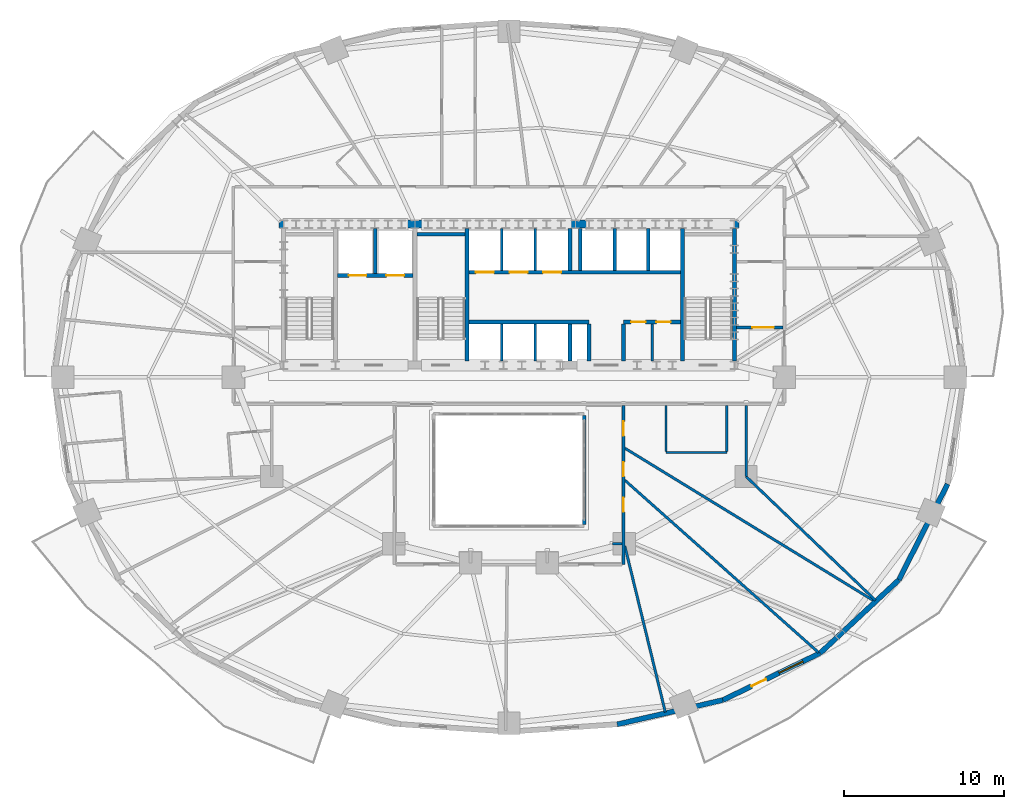
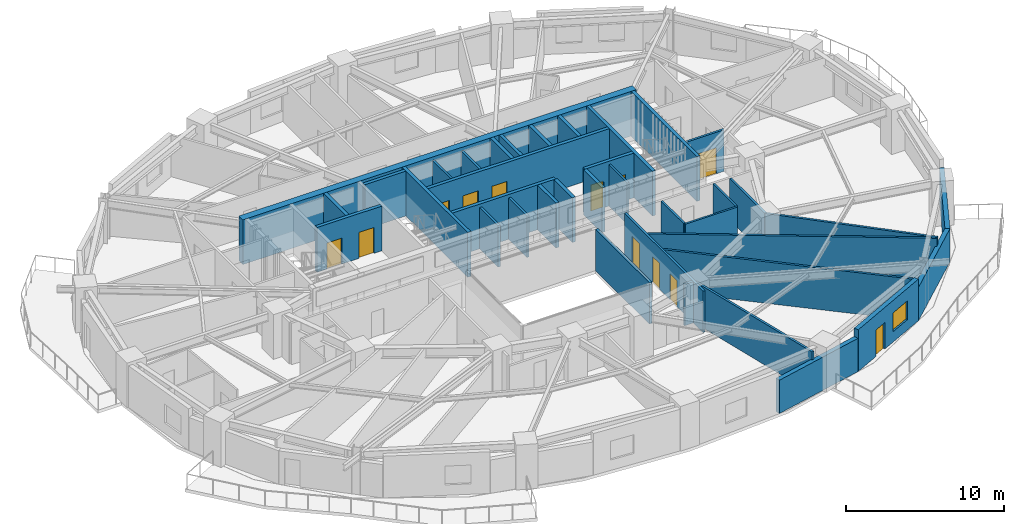
# One storey, part 9 of 15: 38 walls, 12 doors, 1 window, 13 openings.
"""IFC4 building model written with IfcOpenShell, lengths in metres."""

from ifc_helpers import new_model, si_unit, direction, frame, frame_2d, origin, place, context, subcontext, project, spatial, rectangle, extrude, material, layer, layer_set, type_object, element, fill, save


model = new_model("IFC4")

# Units and contexts
model_context = context("Model", 3, precision=1e-05, world=origin(), true_north=direction((0.0, 1.0)))
body_context = subcontext(model_context, "Body", "Model", "MODEL_VIEW")
ifc_project = project(units=[si_unit("LENGTHUNIT", "METRE"), si_unit("AREAUNIT", "SQUARE_METRE"), si_unit("VOLUMEUNIT", "CUBIC_METRE"), si_unit("PLANEANGLEUNIT", "RADIAN"), si_unit("MASSUNIT", "GRAM", prefix="KILO")], contexts=[model_context])

# Site, building, storey
site_placement = place(None, origin())
site = spatial("IfcSite", under=ifc_project, at=site_placement, CompositionType="ELEMENT")
building_placement = place(site_placement, origin())
building = spatial("IfcBuilding", under=site, at=building_placement, Name="Haldorwick Loom Tower", CompositionType="ELEMENT")
storey_placement = place(building_placement, frame((0.0, 0.0, 92.14990234375)))
storey = spatial("IfcBuildingStorey", under=building, at=storey_placement, Name="L24", CompositionType="ELEMENT", Elevation=92.14990234375)

# Wall
ifc_material_1 = material(Name="Pressed Clay Face Brick and Insulated Masonry Backup Assembly", Category="masonry")
ifc_layer_1 = layer(ifc_material_1, 0.320068359375, Name="Pressed Clay Face Brick and Insulated Masonry Backup Assembly", Category="masonry")
ifc_layer_set_1 = layer_set([ifc_layer_1], Name="Pressed Clay Face Brick and Insulated Masonry Backup Assembly")
wall_type_1 = type_object("IfcWallType", Name="ARC-WL-EXT320", PredefinedType="STANDARD", material=ifc_layer_set_1)
wall_1_placement = place(storey_placement, frame((42.757080078125, 4.325439453125, 0.0), z_axis=(0.0, 0.0, 1.0), x_axis=(0.974584177714, 0.224021607329, 0.0)))
element("IfcWall", 1, at=wall_1_placement, inside=storey, type_object=wall_type_1, Name="L24 Brick Pier and Spandrel Wall 20", PredefinedType="STANDARD", context=body_context, shape_type="SweptSolid", body=[
    extrude(rectangle(XDim=6.767822265625, YDim=0.320068359375, at=frame_2d((3.3837890625, 0.0))), origin(), (0.0, 0.0, 1.0), 2.569091796875),
])

# Wall, openings, door, window
wall_2_placement = place(storey_placement, frame((49.352783203125, 5.841552734375, 0.0), z_axis=(0.0, 0.0, 1.0), x_axis=(0.900510094661, 0.434835106004, 0.0)))
wall_2 = element("IfcWall", 2, at=wall_2_placement, inside=storey, type_object=wall_type_1, Name="L24 Brick Pier and Spandrel Wall 21", PredefinedType="STANDARD", context=body_context, shape_type="SweptSolid", body=[
    extrude(rectangle(XDim=6.744873046875, YDim=0.320068359375, at=frame_2d((3.37255859375, 0.0))), origin(), (0.0, 0.0, 1.0), 3.210205078125),
])
opening_1_placement = place(wall_2_placement, frame((1.994873046875, 0.0, 0.0)))
opening_1 = element("IfcOpeningElement", 3, at=opening_1_placement, cuts=wall_2, Name="Opening D-BL10", PredefinedType="OPENING", context=body_context, shape_type="SweptSolid", body=[
    extrude(rectangle(XDim=1.0, YDim=2.0400390625, at=frame_2d((0.5, 1.02001953125))), frame((0.0, 0.169921875, 0.0), z_axis=(0.0, -1.0, 0.0), x_axis=(1.0, 0.0, 0.0)), (0.0, 0.0, 1.0), 0.340087890625),
])
opening_2_placement = place(wall_2_placement, frame((3.896484375, 0.0, 0.800048828125)))
opening_2 = element("IfcOpeningElement", 4, at=opening_2_placement, cuts=wall_2, Name="Opening W-01B", PredefinedType="OPENING", context=body_context, shape_type="SweptSolid", body=[
    extrude(rectangle(XDim=1.64990234375, YDim=1.449951171875, at=frame_2d((0.824951171875, 0.72509765625))), frame((0.0, 0.169921875, 0.0), z_axis=(0.0, -1.0, 0.0), x_axis=(1.0, 0.0, 0.0)), (0.0, 0.0, 1.0), 0.340087890625),
])
ifc_material_2 = material(Name="Thermally Broken Anodized Aluminium Curtain Wall Framing", Category="aluminium")
door_type_1 = type_object("IfcDoorType", Name="ARC-DR-BAL100", OperationType="NOTDEFINED", PredefinedType="DOOR", material=ifc_material_2)
door_1_placement = place(opening_1_placement, origin())
door_1 = element("IfcDoor", 5, at=door_1_placement, inside=storey, type_object=door_type_1, Name="L24 Outdoor Terrace Door SLB-L24-BAL_SE", OperationType="SINGLE_SWING_RIGHT", OverallHeight=2.0400390625, OverallWidth=1.0, PredefinedType="DOOR", context=body_context, shape_type="SweptSolid", body=[
    extrude(rectangle(XDim=1.0, YDim=2.0400390625, at=frame_2d((0.5, 1.02001953125))), frame((0.0, 0.02490234375, 0.0), z_axis=(0.0, -1.0, 0.0), x_axis=(1.0, 0.0, 0.0)), (0.0, 0.0, 1.0), 0.050048828125),
])
fill(opening_1, door_1)
ifc_material_3 = material(Name="Triple-Glazed Low-E Argon Insulated Glazing Unit", Category="glass")
window_type = type_object("IfcWindowType", Name="ARC-WIN-W165", PartitioningType="SINGLE_PANEL", PredefinedType="WINDOW", material=ifc_material_3)
window_placement = place(opening_2_placement, origin())
window = element("IfcWindow", 6, at=window_placement, inside=storey, type_object=window_type, Name="L24 Deep-Set Zone 7A Window 21", OverallHeight=1.449951171875, OverallWidth=1.64990234375, PartitioningType="SINGLE_PANEL", PredefinedType="WINDOW", context=body_context, shape_type="SweptSolid", body=[
    extrude(rectangle(XDim=1.64990234375, YDim=1.449951171875, at=frame_2d((0.824951171875, 0.72509765625))), frame((0.0, 0.030029296875, 0.0), z_axis=(0.0, -1.0, 0.0), x_axis=(1.0, 0.0, 0.0)), (0.0, 0.0, 1.0), 0.06005859375),
])
fill(opening_2, window)

# Walls
wall_3_placement = place(storey_placement, frame((55.426513671875, 8.7744140625, 0.0), z_axis=(0.0, 0.0, 1.0), x_axis=(0.732137360086, 0.681157020052, 0.0)))
element("IfcWall", 7, at=wall_3_placement, inside=storey, type_object=wall_type_1, Name="L24 Brick Pier and Spandrel Wall 22", PredefinedType="STANDARD", context=body_context, shape_type="SweptSolid", body=[
    extrude(rectangle(XDim=6.709228515625, YDim=0.320068359375, at=frame_2d((3.3544921875, 0.0))), origin(), (0.0, 0.0, 1.0), 2.569091796875),
])
wall_4_placement = place(storey_placement, frame((60.338623046875, 13.344482421875, 0.0), z_axis=(0.0, 0.0, 1.0), x_axis=(0.453374078001, 0.89132033826, 0.0)))
element("IfcWall", 8, at=wall_4_placement, inside=storey, type_object=wall_type_1, Name="L24 Brick Pier and Spandrel Wall 23", PredefinedType="STANDARD", context=body_context, shape_type="SweptSolid", body=[
    extrude(rectangle(XDim=6.709716796875, YDim=0.320068359375, at=frame_2d((3.35498046875, 0.0))), origin(), (0.0, 0.0, 1.0), 2.569091796875),
])

# Wall, opening, door
ifc_material_4 = material(Name="Fire-Rated Type X Gypsum Stud Assembly EI 60")
ifc_layer_2 = layer(ifc_material_4, 0.159912109375, Name="Fire-Rated Type X Gypsum Stud Assembly EI 60")
ifc_layer_set_2 = layer_set([ifc_layer_2], Name="Fire-Rated Type X Gypsum Stud Assembly EI 60")
wall_type_2 = type_object("IfcWallType", Name="ARC-WL-FIRE160", PredefinedType="PARTITIONING", material=ifc_layer_set_2)
wall_5_placement = place(storey_placement, frame((50.193115234375, 29.10009765625, 0.0), z_axis=(0.0, 0.0, 1.0), x_axis=(1.0, 0.0, 0.0)))
wall_5 = element("IfcWall", 9, at=wall_5_placement, inside=storey, type_object=wall_type_2, Name="L24 Residential Fire Partition L24-CR-ESJ", PredefinedType="PARTITIONING", context=body_context, shape_type="SweptSolid", body=[
    extrude(rectangle(XDim=2.923828125, YDim=0.159912109375, at=frame_2d((1.4619140625, 0.0))), origin(), (0.0, 0.0, 1.0), 3.195068359375),
])
opening_3_placement = place(wall_5_placement, frame((0.99560546875, 0.0, 0.0)))
opening_3 = element("IfcOpeningElement", 10, at=opening_3_placement, cuts=wall_5, Name="Opening D-CR15", PredefinedType="OPENING", context=body_context, shape_type="SweptSolid", body=[
    extrude(rectangle(XDim=1.35009765625, YDim=2.0, at=frame_2d((0.675048828125, 1.0))), frame((0.0, 0.08984375, 0.0), z_axis=(0.0, -1.0, 0.0), x_axis=(1.0, 0.0, 0.0)), (0.0, 0.0, 1.0), 0.179931640625),
])
ifc_material_5 = material(Name="Thermally Broken Anodized Aluminium and Tempered Glass", Category="aluminium")
door_type_2 = type_object("IfcDoorType", Name="ARC-DR-COR150", OperationType="NOTDEFINED", PredefinedType="DOOR", material=ifc_material_5)
door_2_placement = place(opening_3_placement, origin())
door_2 = element("IfcDoor", 11, at=door_2_placement, inside=storey, type_object=door_type_2, Name="L24 L24 East Residential Corridor to L24 Central Residential Corridor Do", OperationType="DOUBLE_DOOR_SINGLE_SWING", OverallHeight=2.0, OverallWidth=1.35009765625, PredefinedType="DOOR", context=body_context, shape_type="SweptSolid", body=[
    extrude(rectangle(XDim=1.35009765625, YDim=2.0, at=frame_2d((0.675048828125, 1.0))), frame((0.0, 0.02490234375, 0.0), z_axis=(0.0, -1.0, 0.0), x_axis=(1.0, 0.0, 0.0)), (0.0, 0.0, 1.0), 0.050048828125),
])
fill(opening_3, door_2)

# Wall, openings, doors
wall_6_placement = place(storey_placement, frame((43.14990234375, 14.300048828125, 0.0), z_axis=(0.0, 0.0, 1.0), x_axis=(0.0, 1.0, 0.0)))
wall_6 = element("IfcWall", 12, at=wall_6_placement, inside=storey, type_object=wall_type_2, Name="L24 Residential Fire Partition L24-CR-AE", PredefinedType="PARTITIONING", context=body_context, shape_type="SweptSolid", body=[
    extrude(rectangle(XDim=9.9169921875, YDim=0.159912109375, at=frame_2d((4.95849609375, 0.0))), origin(), (0.0, 0.0, 1.0), 3.195068359375),
])
opening_4_placement = place(wall_6_placement, frame((3.28662109375, 0.0, 0.0)))
opening_4 = element("IfcOpeningElement", 13, at=opening_4_placement, cuts=wall_6, Name="Opening D-FD60A", PredefinedType="OPENING", context=body_context, shape_type="SweptSolid", body=[
    extrude(rectangle(XDim=0.89990234375, YDim=2.0, at=frame_2d((0.449951171875, 1.0))), frame((0.0, 0.08984375, 0.0), z_axis=(0.0, -1.0, 0.0), x_axis=(1.0, 0.0, 0.0)), (0.0, 0.0, 1.0), 0.179931640625),
])
opening_5_placement = place(wall_6_placement, frame((8.034423828125, 0.0, 0.0)))
opening_5 = element("IfcOpeningElement", 14, at=opening_5_placement, cuts=wall_6, Name="Opening D-FD60A", PredefinedType="OPENING", context=body_context, shape_type="SweptSolid", body=[
    extrude(rectangle(XDim=0.89990234375, YDim=2.0, at=frame_2d((0.449951171875, 1.0))), frame((0.0, 0.08984375, 0.0), z_axis=(0.0, -1.0, 0.0), x_axis=(1.0, 0.0, 0.0)), (0.0, 0.0, 1.0), 0.179931640625),
])
opening_6_placement = place(wall_6_placement, frame((5.500244140625, 0.0, 0.0)))
opening_6 = element("IfcOpeningElement", 15, at=opening_6_placement, cuts=wall_6, Name="Opening D-FD60A", PredefinedType="OPENING", context=body_context, shape_type="SweptSolid", body=[
    extrude(rectangle(XDim=0.89990234375, YDim=2.0, at=frame_2d((0.449951171875, 1.0))), frame((0.0, 0.08984375, 0.0), z_axis=(0.0, -1.0, 0.0), x_axis=(1.0, 0.0, 0.0)), (0.0, 0.0, 1.0), 0.179931640625),
])
ifc_material_6 = material(Name="Hollow Steel Fire Door Assembly", Category="steel")
door_type_3 = type_object("IfcDoorType", Name="ARC-DR-FD60-90", OperationType="NOTDEFINED", PredefinedType="DOOR", material=ifc_material_6)
door_3_placement = place(opening_4_placement, origin())
door_3 = element("IfcDoor", 16, at=door_3_placement, inside=storey, type_object=door_type_3, Name="L24 L24 South Atrium Corridor to Community Teaching Classroom 5 Door", OperationType="SINGLE_SWING_RIGHT", OverallHeight=2.0, OverallWidth=0.89990234375, PredefinedType="DOOR", context=body_context, shape_type="SweptSolid", body=[
    extrude(rectangle(XDim=0.89990234375, YDim=2.0, at=frame_2d((0.449951171875, 1.0))), frame((0.0, 0.02490234375, 0.0), z_axis=(0.0, -1.0, 0.0), x_axis=(1.0, 0.0, 0.0)), (0.0, 0.0, 1.0), 0.050048828125),
])
fill(opening_4, door_3)
door_4_placement = place(opening_5_placement, origin())
door_4 = element("IfcDoor", 17, at=door_4_placement, inside=storey, type_object=door_type_3, Name="L24 L24 South Atrium Corridor to Youth Club Hall 1 Door", OperationType="SINGLE_SWING_LEFT", OverallHeight=2.0, OverallWidth=0.89990234375, PredefinedType="DOOR", context=body_context, shape_type="SweptSolid", body=[
    extrude(rectangle(XDim=0.89990234375, YDim=2.0, at=frame_2d((0.449951171875, 1.0))), frame((0.0, 0.02490234375, 0.0), z_axis=(0.0, -1.0, 0.0), x_axis=(1.0, 0.0, 0.0)), (0.0, 0.0, 1.0), 0.050048828125),
])
fill(opening_5, door_4)
door_5_placement = place(opening_6_placement, origin())
door_5 = element("IfcDoor", 18, at=door_5_placement, inside=storey, type_object=door_type_3, Name="L24 L24 South Atrium Corridor to Community Teaching Classroom 6 Door", OperationType="SINGLE_SWING_RIGHT", OverallHeight=2.0, OverallWidth=0.89990234375, PredefinedType="DOOR", context=body_context, shape_type="SweptSolid", body=[
    extrude(rectangle(XDim=0.89990234375, YDim=2.0, at=frame_2d((0.449951171875, 1.0))), frame((0.0, 0.02490234375, 0.0), z_axis=(0.0, -1.0, 0.0), x_axis=(1.0, 0.0, 0.0)), (0.0, 0.0, 1.0), 0.050048828125),
])
fill(opening_6, door_5)

# Walls
wall_7_placement = place(storey_placement, frame((50.800048828125, 19.800048828125, 0.0), z_axis=(0.0, 0.0, 1.0), x_axis=(0.722604855933, -0.691261326983, 0.0)))
element("IfcWall", 19, at=wall_7_placement, inside=storey, type_object=wall_type_2, Name="L24 Residential Fire Partition L24-ICR-02", PredefinedType="PARTITIONING", context=body_context, shape_type="SweptSolid", body=[
    extrude(rectangle(XDim=11.177490234375, YDim=0.159912109375, at=frame_2d((5.5888671875, 0.0))), origin(), (0.0, 0.0, 1.0), 3.195068359375),
])
wall_8_placement = place(storey_placement, frame((43.23291015625, 15.464599609375, 0.0), z_axis=(0.0, 0.0, 1.0), x_axis=(0.236752094278, -0.971570093125, 0.0)))
element("IfcWall", 20, at=wall_8_placement, inside=storey, type_object=wall_type_2, Name="L24 Residential Fire Partition L24-ICR-04", PredefinedType="PARTITIONING", context=body_context, shape_type="SweptSolid", body=[
    extrude(rectangle(XDim=10.685302734375, YDim=0.159912109375, at=frame_2d((5.3427734375, 0.0))), origin(), (0.0, 0.0, 1.0), 3.195068359375),
])
wall_9_placement = place(storey_placement, frame((50.800048828125, 24.217041015625, 0.0), z_axis=(0.0, 0.0, 1.0), x_axis=(0.0, -1.0, 0.0)))
element("IfcWall", 21, at=wall_9_placement, inside=storey, type_object=wall_type_2, Name="L24 Residential Fire Partition L24-ICA-01", PredefinedType="PARTITIONING", context=body_context, shape_type="SweptSolid", body=[
    extrude(rectangle(XDim=4.4169921875, YDim=0.159912109375, at=frame_2d((2.20849609375, 0.0))), origin(), (0.0, 0.0, 1.0), 3.195068359375),
])
wall_10_placement = place(storey_placement, frame((42.449951171875, 15.60009765625, 0.0), z_axis=(0.0, 0.0, 1.0), x_axis=(1.0, 0.0, 0.0)))
element("IfcWall", 22, at=wall_10_placement, inside=storey, type_object=wall_type_2, Name="L24 Residential Fire Partition L24-ICA-03", PredefinedType="PARTITIONING", context=body_context, shape_type="SweptSolid", body=[
    extrude(rectangle(XDim=0.616943359375, YDim=0.159912109375, at=frame_2d((0.30859375, 0.0))), origin(), (0.0, 0.0, 1.0), 3.195068359375),
])
wall_11_placement = place(storey_placement, frame((43.23291015625, 21.567138671875, 0.0), z_axis=(0.0, 0.0, 1.0), x_axis=(0.852621037399, -0.522529775788, 0.0)))
element("IfcWall", 23, at=wall_11_placement, inside=storey, type_object=wall_type_2, Name="L24 Suite Split Wall", PredefinedType="PARTITIONING", context=body_context, shape_type="SweptSolid", body=[
    extrude(rectangle(XDim=18.266357421875, YDim=0.159912109375, at=frame_2d((9.13330078125, 0.0))), origin(), (0.0, 0.0, 1.0), 3.195068359375),
])
wall_12_placement = place(storey_placement, frame((43.23291015625, 19.567626953125, 0.0), z_axis=(0.0, 0.0, 1.0), x_axis=(0.747261281393, -0.664530343424, 0.0)))
element("IfcWall", 24, at=wall_12_placement, inside=storey, type_object=wall_type_2, Name="L24 Suite Split Wall", PredefinedType="PARTITIONING", context=body_context, shape_type="SweptSolid", body=[
    extrude(rectangle(XDim=16.1982421875, YDim=0.159912109375, at=frame_2d((8.09912109375, 0.0))), origin(), (0.0, 0.0, 1.0), 3.195068359375),
])
ifc_material_7 = material(Name="Fire-Rated Type X Gypsum Stud Assembly EI 120")
ifc_layer_3 = layer(ifc_material_7, 0.199951171875, Name="Fire-Rated Type X Gypsum Stud Assembly EI 120")
ifc_layer_set_3 = layer_set([ifc_layer_3], Name="Fire-Rated Type X Gypsum Stud Assembly EI 120")
wall_type_3 = type_object("IfcWallType", Name="ARC-WL-FIRE200", PredefinedType="PARTITIONING", material=ifc_layer_set_3)
wall_13_placement = place(storey_placement, frame((40.699951171875, 23.596923828125, 0.0), z_axis=(0.0, 0.0, 1.0), x_axis=(0.0, -1.0, 0.0)))
element("IfcWall", 25, at=wall_13_placement, inside=storey, type_object=wall_type_3, Name="L24 Atrium Fire Enclosure Wall E", PredefinedType="PARTITIONING", context=body_context, shape_type="SweptSolid", body=[
    extrude(rectangle(XDim=6.7939453125, YDim=0.199951171875, at=frame_2d((3.39697265625, 0.0))), origin(), (0.0, 0.0, 1.0), 3.195068359375),
])
ifc_layer_4 = layer(ifc_material_4, 0.139892578125, Name="Fire-Rated Type X Gypsum Stud Assembly EI 60")
ifc_layer_set_4 = layer_set([ifc_layer_4], Name="Fire-Rated Type X Gypsum Stud Assembly EI 60")
wall_type_4 = type_object("IfcWallType", Name="ARC-WL-PART140", PredefinedType="PARTITIONING", material=ifc_layer_set_4)
wall_14_placement = place(storey_placement, frame((44.949951171875, 27.0029296875, 0.0), z_axis=(0.0, 0.0, 1.0), x_axis=(0.0, 1.0, 0.0)))
element("IfcWall", 26, at=wall_14_placement, inside=storey, type_object=wall_type_4, Name="L24 Service Partition", PredefinedType="PARTITIONING", context=body_context, shape_type="SweptSolid", body=[
    extrude(rectangle(XDim=2.323974609375, YDim=0.139892578125, at=frame_2d((1.162109375, 0.0))), origin(), (0.0, 0.0, 1.0), 3.195068359375),
])
wall_15_placement = place(storey_placement, frame((45.800048828125, 21.300048828125, 0.0), z_axis=(0.0, 0.0, 1.0), x_axis=(1.0, 0.0, 0.0)))
element("IfcWall", 27, at=wall_15_placement, inside=storey, type_object=wall_type_4, Name="L24 Residential Fire Partition L24-CWC-S", PredefinedType="PARTITIONING", context=body_context, shape_type="SweptSolid", body=[
    extrude(rectangle(XDim=3.800048828125, YDim=0.139892578125, at=frame_2d((1.89990234375, 0.0))), origin(), (0.0, 0.0, 1.0), 3.195068359375),
])
for number, where, z_axis, x_axis, name in (
    (28, (45.800048828125, 21.373046875, 0.0), (0.0, 0.0, 1.0), (0.0, 1.0, 0.0), "L24 Residential Fire Partition L24-CWC-W"),
    (29, (49.60009765625, 21.373046875, 0.0), (0.0, 0.0, 1.0), (0.0, 1.0, 0.0), "L24 Residential Fire Partition L24-CWC-E"),
):
    element("IfcWall", number, at=place(storey_placement, frame(where, z_axis=z_axis, x_axis=x_axis)), inside=storey, type_object=wall_type_4, Name=name, PredefinedType="PARTITIONING", context=body_context, shape_type="SweptSolid", body=[
        extrude(rectangle(XDim=2.843994140625, YDim=0.139892578125, at=frame_2d((1.421875, 0.0))), origin(), (0.0, 0.0, 1.0), 3.195068359375),
    ])
ifc_layer_5 = layer(ifc_material_7, 0.1650390625, Name="Fire-Rated Type X Gypsum Stud Assembly EI 120")
ifc_layer_set_5 = layer_set([ifc_layer_5], Name="Fire-Rated Type X Gypsum Stud Assembly EI 120")
wall_type_5 = type_object("IfcWallType", Name="ARC-WL-SHAFT160", PredefinedType="MOVABLE", material=ifc_layer_set_5)
for number, where, z_axis, x_axis, name in (
    (30, (35.550048828125, 32.673095703125, 0.0), (0.0, 0.0, 1.0), (0.0, 1.0, 0.0), "L24 Low-Rise Hoistway Divider 1"),
    (31, (37.64990234375, 32.673095703125, 0.0), (0.0, 0.0, 1.0), (0.0, 1.0, 0.0), "L24 Low-Rise Hoistway Divider 2"),
):
    element("IfcWall", number, at=place(storey_placement, frame(where, z_axis=z_axis, x_axis=x_axis)), inside=storey, type_object=wall_type_5, Name=name, PredefinedType="MOVABLE", context=body_context, shape_type="SweptSolid", body=[
        extrude(rectangle(XDim=2.6240234375, YDim=0.159912109375, at=frame_2d((1.31201171875, 0.0))), origin(), (0.0, 0.0, 1.0), 3.195068359375),
    ])
for number, where, z_axis, x_axis, name in (
    (32, (35.550048828125, 27.0029296875, 0.0), (0.0, 0.0, 1.0), (0.0, 1.0, 0.0), "L24 Mid-Rise Hoistway Divider 1"),
    (33, (37.64990234375, 27.0029296875, 0.0), (0.0, 0.0, 1.0), (0.0, 1.0, 0.0), "L24 Mid-Rise Hoistway Divider 2"),
):
    element("IfcWall", number, at=place(storey_placement, frame(where, z_axis=z_axis, x_axis=x_axis)), inside=storey, type_object=wall_type_5, Name=name, PredefinedType="MOVABLE", context=body_context, shape_type="SweptSolid", body=[
        extrude(rectangle(XDim=2.323974609375, YDim=0.159912109375, at=frame_2d((1.162109375, 0.0))), origin(), (0.0, 0.0, 1.0), 3.195068359375),
    ])
ifc_material_8 = material(Name="Concrete C60 (60 MPa)", Category="concrete")
ifc_layer_6 = layer(ifc_material_8, 0.5, Name="Concrete C60 (60 MPa)", Category="concrete")
ifc_layer_set_6 = layer_set([ifc_layer_6], Name="Concrete C60 (60 MPa)")
wall_type_6 = type_object("IfcWallType", Name="STR-WL-CORE500", PredefinedType="SHEAR", material=ifc_layer_set_6)
wall_16_placement = place(storey_placement, frame((50.35009765625, 35.550048828125, 0.0), z_axis=(0.0, 0.0, 1.0), x_axis=(-1.0, 0.0, 0.0)))
element("IfcWall", 34, at=wall_16_placement, inside=storey, type_object=wall_type_6, Name="L24 Core Shear Wall N", PredefinedType="SHEAR", context=body_context, shape_type="SweptSolid", body=[
    extrude(rectangle(XDim=28.7001953125, YDim=0.5, at=frame_2d((14.35009765625, 0.0))), origin(), (0.0, 0.0, 1.0), 3.4501953125),
])
ifc_material_9 = material(Name="Concrete C50 (50 MPa)", Category="concrete")
ifc_layer_7 = layer(ifc_material_9, 0.239990234375, Name="Concrete C50 (50 MPa)", Category="concrete")
ifc_layer_set_7 = layer_set([ifc_layer_7], Name="Concrete C50 (50 MPa)")
wall_type_7 = type_object("IfcWallType", Name="STR-WL-SHAFT240", PredefinedType="SHEAR", material=ifc_layer_set_7)
for number, where, z_axis, x_axis, name in (
    (35, (50.070068359375, 27.0029296875, 0.0), (0.0, 0.0, 1.0), (0.0, 1.0, 0.0), "L24 Core Shear Wall E"),
    (36, (33.3701171875, 27.0029296875, 0.0), (0.0, 0.0, 1.0), (0.0, 1.0, 0.0), "L24 Core Shear Wall 3"),
):
    element("IfcWall", number, at=place(storey_placement, frame(where, z_axis=z_axis, x_axis=x_axis)), inside=storey, type_object=wall_type_7, Name=name, PredefinedType="SHEAR", context=body_context, shape_type="SweptSolid", body=[
        extrude(rectangle(XDim=8.294189453125, YDim=0.239990234375, at=frame_2d((4.14697265625, 0.0))), origin(), (0.0, 0.0, 1.0), 3.4501953125),
    ])
wall_17_placement = place(storey_placement, frame((30.2529296875, 34.919921875, 0.0), z_axis=(0.0, 0.0, 1.0), x_axis=(1.0, 0.0, 0.0)))
element("IfcWall", 37, at=wall_17_placement, inside=storey, type_object=wall_type_7, Name="L24 Core Shear Wall 3N", PredefinedType="SHEAR", context=body_context, shape_type="SweptSolid", body=[
    extrude(rectangle(XDim=2.994140625, YDim=0.239990234375, at=frame_2d((1.4970703125, 0.0))), origin(), (0.0, 0.0, 1.0), 3.4501953125),
])
wall_18_placement = place(storey_placement, frame((46.830078125, 27.0029296875, 0.0), z_axis=(0.0, 0.0, 1.0), x_axis=(0.0, 1.0, 0.0)))
element("IfcWall", 38, at=wall_18_placement, inside=storey, type_object=wall_type_7, Name="L24 Core Shear Wall 4", PredefinedType="SHEAR", context=body_context, shape_type="SweptSolid", body=[
    extrude(rectangle(XDim=8.294189453125, YDim=0.239990234375, at=frame_2d((4.14697265625, 0.0))), origin(), (0.0, 0.0, 1.0), 3.4501953125),
])

# Wall, openings, doors
wall_19_placement = place(storey_placement, frame((25.29296875, 32.35009765625, 0.0), z_axis=(0.0, 0.0, 1.0), x_axis=(1.0, 0.0, 0.0)))
wall_19 = element("IfcWall", 39, at=wall_19_placement, inside=storey, type_object=wall_type_7, Name="L24 Core Shear Wall FF", PredefinedType="SHEAR", context=body_context, shape_type="SweptSolid", body=[
    extrude(rectangle(XDim=4.714111328125, YDim=0.239990234375, at=frame_2d((2.35693359375, 0.0))), origin(), (0.0, 0.0, 1.0), 3.4501953125),
])
opening_7_placement = place(wall_19_placement, frame((0.70703125, 0.0, 0.0)))
opening_7 = element("IfcOpeningElement", 40, at=opening_7_placement, cuts=wall_19, Name="Opening LD-FF1", PredefinedType="OPENING", context=body_context, shape_type="SweptSolid", body=[
    extrude(rectangle(XDim=1.10009765625, YDim=2.0, at=frame_2d((0.550048828125, 1.0))), frame((0.0, 0.1298828125, 0.0), z_axis=(0.0, -1.0, 0.0), x_axis=(1.0, 0.0, 0.0)), (0.0, 0.0, 1.0), 0.260009765625),
])
opening_8_placement = place(wall_19_placement, frame((3.056884765625, 0.0, 0.0)))
opening_8 = element("IfcOpeningElement", 41, at=opening_8_placement, cuts=wall_19, Name="Opening LD-FF2", PredefinedType="OPENING", context=body_context, shape_type="SweptSolid", body=[
    extrude(rectangle(XDim=1.10009765625, YDim=2.0, at=frame_2d((0.550048828125, 1.0))), frame((0.0, 0.1298828125, 0.0), z_axis=(0.0, -1.0, 0.0), x_axis=(1.0, 0.0, 0.0)), (0.0, 0.0, 1.0), 0.260009765625),
])
door_type_4 = type_object("IfcDoorType", Name="ARC-DR-LD-FF", OperationType="NOTDEFINED", PredefinedType="USERDEFINED", material=ifc_material_6)
door_6_placement = place(opening_7_placement, origin())
door_6 = element("IfcDoor", 42, at=door_6_placement, inside=storey, type_object=door_type_4, Name="L24 Lift LF-FF1 Sliding Landing Door", ObjectType="LANDING DOOR", OperationType="DOUBLE_DOOR_SLIDING", OverallHeight=2.0, OverallWidth=1.10009765625, PredefinedType="USERDEFINED", context=body_context, shape_type="SweptSolid", body=[
    extrude(rectangle(XDim=1.10009765625, YDim=2.0, at=frame_2d((0.550048828125, 1.0))), frame((0.0, 0.02490234375, 0.0), z_axis=(0.0, -1.0, 0.0), x_axis=(1.0, 0.0, 0.0)), (0.0, 0.0, 1.0), 0.050048828125),
])
fill(opening_7, door_6)
door_7_placement = place(opening_8_placement, origin())
door_7 = element("IfcDoor", 43, at=door_7_placement, inside=storey, type_object=door_type_4, Name="L24 Lift LF-FF2 Sliding Landing Door", ObjectType="LANDING DOOR", OperationType="DOUBLE_DOOR_SLIDING", OverallHeight=2.0, OverallWidth=1.10009765625, PredefinedType="USERDEFINED", context=body_context, shape_type="SweptSolid", body=[
    extrude(rectangle(XDim=1.10009765625, YDim=2.0, at=frame_2d((0.550048828125, 1.0))), frame((0.0, 0.02490234375, 0.0), z_axis=(0.0, -1.0, 0.0), x_axis=(1.0, 0.0, 0.0)), (0.0, 0.0, 1.0), 0.050048828125),
])
fill(opening_8, door_7)

# Wall
wall_20_placement = place(storey_placement, frame((27.64990234375, 32.472900390625, 0.0), z_axis=(0.0, 0.0, 1.0), x_axis=(0.0, 1.0, 0.0)))
element("IfcWall", 44, at=wall_20_placement, inside=storey, type_object=wall_type_7, Name="L24 Core Shear Wall FFD", PredefinedType="SHEAR", context=body_context, shape_type="SweptSolid", body=[
    extrude(rectangle(XDim=2.82421875, YDim=0.239990234375, at=frame_2d((1.412109375, 0.0))), origin(), (0.0, 0.0, 1.0), 3.4501953125),
])

# Wall, openings, doors
wall_21_placement = place(storey_placement, frame((33.492919921875, 32.550048828125, 0.0), z_axis=(0.0, 0.0, 1.0), x_axis=(1.0, 0.0, 0.0)))
wall_21 = element("IfcWall", 45, at=wall_21_placement, inside=storey, type_object=wall_type_7, Name="L24 Core Shear Wall LN", PredefinedType="SHEAR", context=body_context, shape_type="SweptSolid", body=[
    extrude(rectangle(XDim=13.214111328125, YDim=0.239990234375, at=frame_2d((6.60693359375, 0.0))), origin(), (0.0, 0.0, 1.0), 3.4501953125),
])
opening_9_placement = place(wall_21_placement, frame((0.447021484375, 0.0, 0.0)))
opening_9 = element("IfcOpeningElement", 46, at=opening_9_placement, cuts=wall_21, Name="Opening LD-L1", PredefinedType="OPENING", context=body_context, shape_type="SweptSolid", body=[
    extrude(rectangle(XDim=1.1201171875, YDim=2.0, at=frame_2d((0.56005859375, 1.0))), frame((0.0, 0.1298828125, 0.0), z_axis=(0.0, -1.0, 0.0), x_axis=(1.0, 0.0, 0.0)), (0.0, 0.0, 1.0), 0.260009765625),
])
opening_10_placement = place(wall_21_placement, frame((2.547119140625, 0.0, 0.0)))
opening_10 = element("IfcOpeningElement", 47, at=opening_10_placement, cuts=wall_21, Name="Opening LD-L2", PredefinedType="OPENING", context=body_context, shape_type="SweptSolid", body=[
    extrude(rectangle(XDim=1.1201171875, YDim=2.0, at=frame_2d((0.56005859375, 1.0))), frame((0.0, 0.1298828125, 0.0), z_axis=(0.0, -1.0, 0.0), x_axis=(1.0, 0.0, 0.0)), (0.0, 0.0, 1.0), 0.260009765625),
])
opening_11_placement = place(wall_21_placement, frame((4.64697265625, 0.0, 0.0)))
opening_11 = element("IfcOpeningElement", 48, at=opening_11_placement, cuts=wall_21, Name="Opening LD-L3", PredefinedType="OPENING", context=body_context, shape_type="SweptSolid", body=[
    extrude(rectangle(XDim=1.1201171875, YDim=2.0, at=frame_2d((0.56005859375, 1.0))), frame((0.0, 0.1298828125, 0.0), z_axis=(0.0, -1.0, 0.0), x_axis=(1.0, 0.0, 0.0)), (0.0, 0.0, 1.0), 0.260009765625),
])
door_type_5 = type_object("IfcDoorType", Name="ARC-DR-LD-PAX", OperationType="NOTDEFINED", PredefinedType="USERDEFINED", material=ifc_material_6)
door_8_placement = place(opening_9_placement, origin())
door_8 = element("IfcDoor", 49, at=door_8_placement, inside=storey, type_object=door_type_5, Name="L24 Lift LF-L1 Sliding Landing Door", ObjectType="LANDING DOOR", OperationType="DOUBLE_DOOR_SLIDING", OverallHeight=2.0, OverallWidth=1.1201171875, PredefinedType="USERDEFINED", context=body_context, shape_type="SweptSolid", body=[
    extrude(rectangle(XDim=1.1201171875, YDim=2.0, at=frame_2d((0.56005859375, 1.0))), frame((0.0, 0.02490234375, 0.0), z_axis=(0.0, -1.0, 0.0), x_axis=(1.0, 0.0, 0.0)), (0.0, 0.0, 1.0), 0.050048828125),
])
fill(opening_9, door_8)
door_9_placement = place(opening_10_placement, origin())
door_9 = element("IfcDoor", 50, at=door_9_placement, inside=storey, type_object=door_type_5, Name="L24 Lift LF-L2 Sliding Landing Door", ObjectType="LANDING DOOR", OperationType="DOUBLE_DOOR_SLIDING", OverallHeight=2.0, OverallWidth=1.1201171875, PredefinedType="USERDEFINED", context=body_context, shape_type="SweptSolid", body=[
    extrude(rectangle(XDim=1.1201171875, YDim=2.0, at=frame_2d((0.56005859375, 1.0))), frame((0.0, 0.02490234375, 0.0), z_axis=(0.0, -1.0, 0.0), x_axis=(1.0, 0.0, 0.0)), (0.0, 0.0, 1.0), 0.050048828125),
])
fill(opening_10, door_9)
door_10_placement = place(opening_11_placement, origin())
door_10 = element("IfcDoor", 51, at=door_10_placement, inside=storey, type_object=door_type_5, Name="L24 Lift LF-L3 Sliding Landing Door", ObjectType="LANDING DOOR", OperationType="DOUBLE_DOOR_SLIDING", OverallHeight=2.0, OverallWidth=1.1201171875, PredefinedType="USERDEFINED", context=body_context, shape_type="SweptSolid", body=[
    extrude(rectangle(XDim=1.1201171875, YDim=2.0, at=frame_2d((0.56005859375, 1.0))), frame((0.0, 0.02490234375, 0.0), z_axis=(0.0, -1.0, 0.0), x_axis=(1.0, 0.0, 0.0)), (0.0, 0.0, 1.0), 0.050048828125),
])
fill(opening_11, door_10)

# Wall
wall_22_placement = place(storey_placement, frame((33.492919921875, 29.449951171875, 0.0), z_axis=(0.0, 0.0, 1.0), x_axis=(1.0, 0.0, 0.0)))
element("IfcWall", 52, at=wall_22_placement, inside=storey, type_object=wall_type_7, Name="L24 Core Shear Wall LS1", PredefinedType="SHEAR", context=body_context, shape_type="SweptSolid", body=[
    extrude(rectangle(XDim=7.507080078125, YDim=0.239990234375, at=frame_2d((3.75341796875, 0.0))), origin(), (0.0, 0.0, 1.0), 3.4501953125),
])

# Wall, openings, doors
wall_23_placement = place(storey_placement, frame((43.14990234375, 29.449951171875, 0.0), z_axis=(0.0, 0.0, 1.0), x_axis=(1.0, 0.0, 0.0)))
wall_23 = element("IfcWall", 53, at=wall_23_placement, inside=storey, type_object=wall_type_7, Name="L24 Core Shear Wall LS2", PredefinedType="SHEAR", context=body_context, shape_type="SweptSolid", body=[
    extrude(rectangle(XDim=3.55712890625, YDim=0.239990234375, at=frame_2d((1.778564453125, 0.0))), origin(), (0.0, 0.0, 1.0), 3.4501953125),
])
opening_12_placement = place(wall_23_placement, frame((0.47998046875, 0.0, 0.0)))
opening_12 = element("IfcOpeningElement", 54, at=opening_12_placement, cuts=wall_23, Name="Opening D-FD60A", PredefinedType="OPENING", context=body_context, shape_type="SweptSolid", body=[
    extrude(rectangle(XDim=0.89990234375, YDim=2.0, at=frame_2d((0.449951171875, 1.0))), frame((0.0, 0.1298828125, 0.0), z_axis=(0.0, -1.0, 0.0), x_axis=(1.0, 0.0, 0.0)), (0.0, 0.0, 1.0), 0.260009765625),
])
opening_13_placement = place(wall_23_placement, frame((2.050048828125, 0.0, 0.0)))
opening_13 = element("IfcOpeningElement", 55, at=opening_13_placement, cuts=wall_23, Name="Opening D-FD60A", PredefinedType="OPENING", context=body_context, shape_type="SweptSolid", body=[
    extrude(rectangle(XDim=0.89990234375, YDim=2.0, at=frame_2d((0.449951171875, 1.0))), frame((0.0, 0.1298828125, 0.0), z_axis=(0.0, -1.0, 0.0), x_axis=(1.0, 0.0, 0.0)), (0.0, 0.0, 1.0), 0.260009765625),
])
door_11_placement = place(opening_12_placement, origin())
door_11 = element("IfcDoor", 56, at=door_11_placement, inside=storey, type_object=door_type_3, Name="L24 Electrical Room Door", OperationType="SINGLE_SWING_LEFT", OverallHeight=2.0, OverallWidth=0.89990234375, PredefinedType="DOOR", context=body_context, shape_type="SweptSolid", body=[
    extrude(rectangle(XDim=0.89990234375, YDim=2.0, at=frame_2d((0.449951171875, 1.0))), frame((0.0, 0.02490234375, 0.0), z_axis=(0.0, -1.0, 0.0), x_axis=(1.0, 0.0, 0.0)), (0.0, 0.0, 1.0), 0.050048828125),
])
fill(opening_12, door_11)
door_12_placement = place(opening_13_placement, origin())
door_12 = element("IfcDoor", 57, at=door_12_placement, inside=storey, type_object=door_type_3, Name="L24 Cleaner's Store Door", OperationType="SINGLE_SWING_LEFT", OverallHeight=2.0, OverallWidth=0.89990234375, PredefinedType="DOOR", context=body_context, shape_type="SweptSolid", body=[
    extrude(rectangle(XDim=0.89990234375, YDim=2.0, at=frame_2d((0.449951171875, 1.0))), frame((0.0, 0.02490234375, 0.0), z_axis=(0.0, -1.0, 0.0), x_axis=(1.0, 0.0, 0.0)), (0.0, 0.0, 1.0), 0.050048828125),
])
fill(opening_13, door_12)

# Walls
for number, where, z_axis, x_axis, name in (
    (58, (41.0, 27.0029296875, 0.0), (0.0, 0.0, 1.0), (0.0, 1.0, 0.0), "L24 Core Shear Wall THW"),
    (59, (43.14990234375, 27.0029296875, 0.0), (0.0, 0.0, 1.0), (0.0, 1.0, 0.0), "L24 Core Shear Wall THE"),
):
    element("IfcWall", number, at=place(storey_placement, frame(where, z_axis=z_axis, x_axis=x_axis)), inside=storey, type_object=wall_type_7, Name=name, PredefinedType="SHEAR", context=body_context, shape_type="SweptSolid", body=[
        extrude(rectangle(XDim=2.323974609375, YDim=0.239990234375, at=frame_2d((1.162109375, 0.0))), origin(), (0.0, 0.0, 1.0), 3.4501953125),
    ])
for number, where, z_axis, x_axis, name in (
    (60, (39.800048828125, 32.673095703125, 0.0), (0.0, 0.0, 1.0), (0.0, 1.0, 0.0), "L24 Core Shear Wall LHW"),
    (61, (40.449951171875, 32.673095703125, 0.0), (0.0, 0.0, 1.0), (0.0, 1.0, 0.0), "L24 Core Shear Wall H0"),
    (62, (42.60009765625, 32.673095703125, 0.0), (0.0, 0.0, 1.0), (0.0, 1.0, 0.0), "L24 Core Shear Wall H1"),
    (63, (44.699951171875, 32.673095703125, 0.0), (0.0, 0.0, 1.0), (0.0, 1.0, 0.0), "L24 Core Shear Wall H2"),
):
    element("IfcWall", number, at=place(storey_placement, frame(where, z_axis=z_axis, x_axis=x_axis)), inside=storey, type_object=wall_type_7, Name=name, PredefinedType="SHEAR", context=body_context, shape_type="SweptSolid", body=[
        extrude(rectangle(XDim=2.6240234375, YDim=0.239990234375, at=frame_2d((1.31201171875, 0.0))), origin(), (0.0, 0.0, 1.0), 3.4501953125),
    ])
wall_24_placement = place(storey_placement, frame((39.800048828125, 27.0029296875, 0.0), z_axis=(0.0, 0.0, 1.0), x_axis=(0.0, 1.0, 0.0)))
element("IfcWall", 64, at=wall_24_placement, inside=storey, type_object=wall_type_7, Name="L24 Core Shear Wall MRW", PredefinedType="SHEAR", context=body_context, shape_type="SweptSolid", body=[
    extrude(rectangle(XDim=2.323974609375, YDim=0.239990234375, at=frame_2d((1.162109375, 0.0))), origin(), (0.0, 0.0, 1.0), 3.4501953125),
])

save(model, "model.ifc")
